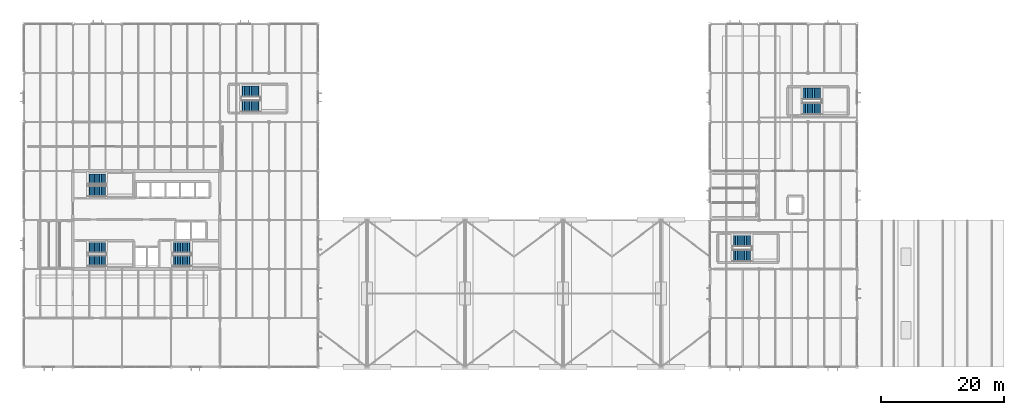
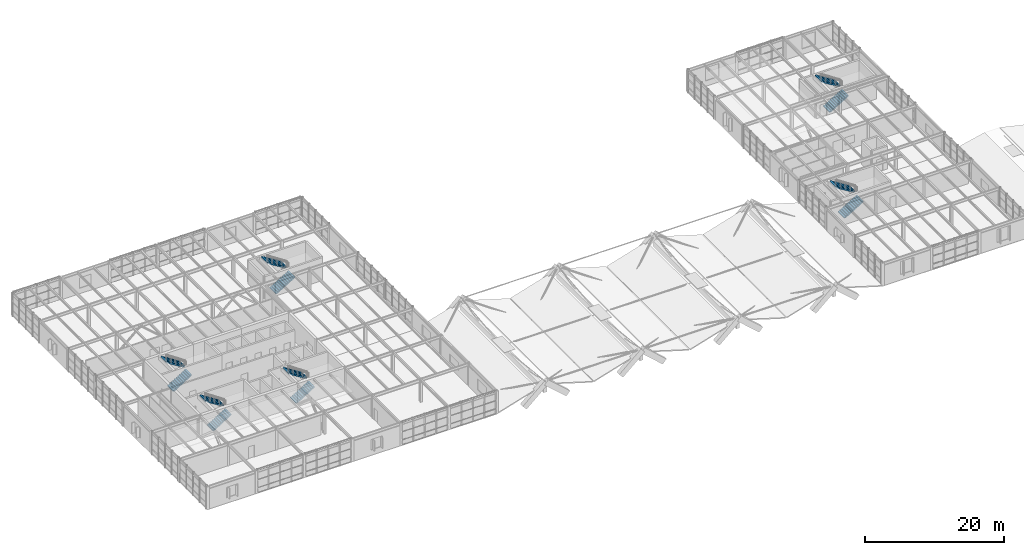
# One storey, part 46 of 50: 12 stair flights, 6 elements without a shape of their own.
"""IFC4 building model written with IfcOpenShell, lengths in metres."""

from ifc_helpers import new_model, si_unit, direction, frame, origin, place, context, subcontext, project, spatial, polyline, outline, extrude, material, type_object, element, aggregate, save


model = new_model("IFC4")

# Units and contexts
model_context = context("Model", 3, precision=1e-05, world=origin(), true_north=direction((0.0, 1.0)))
body_context = subcontext(model_context, "Body", "Model", "MODEL_VIEW")
ifc_project = project(units=[si_unit("LENGTHUNIT", "METRE"), si_unit("AREAUNIT", "SQUARE_METRE"), si_unit("VOLUMEUNIT", "CUBIC_METRE"), si_unit("PLANEANGLEUNIT", "RADIAN"), si_unit("MASSUNIT", "GRAM", prefix="KILO")], contexts=[model_context])

# Site, building, storey
site_placement = place(None, origin())
site = spatial("IfcSite", under=ifc_project, at=site_placement, CompositionType="ELEMENT")
building_placement = place(site_placement, origin())
building = spatial("IfcBuilding", under=site, at=building_placement, Name="Varnela Railside Interchange", CompositionType="ELEMENT")
storey_placement = place(building_placement, frame((0.0, 0.0, 15.39990234375)))
storey = spatial("IfcBuildingStorey", under=building, at=storey_placement, Name="L03", CompositionType="ELEMENT", Elevation=15.39990234375)

# Stair, stair flights
ifc_material = material(Name="Concrete C40", Category="concrete")
stair_type_1 = type_object("IfcStairType", Name="Core Pressurized Stair ST-165", PredefinedType="TWO_STRAIGHT_RUN_STAIR", material=ifc_material)
stair_1_placement = place(storey_placement, origin())
stair_1 = element("IfcStair", 1, at=stair_1_placement, inside=storey, type_object=stair_type_1, Name="Stair ST-T1 (L03) (SF-181)", PredefinedType="TWO_STRAIGHT_RUN_STAIR")
stair_flight_type_1 = type_object("IfcStairFlightType", Name="Concrete Stair Flight SF-165", PredefinedType="STRAIGHT", material=ifc_material)
stair_flight_1_placement = place(storey_placement, frame((14.39990234375, 55.324951171875, 0.0), z_axis=(0.0, 0.0, 1.0), x_axis=(1.0, 0.0, 0.0)))
stair_flight_1 = element("IfcStairFlight", 2, at=stair_flight_1_placement, type_object=stair_flight_type_1, Name="ST-T1 flight 1 (SF-182)", NumberOfRisers=12, NumberOfTreads=11, PredefinedType="STRAIGHT", RiserHeight=0.175, TreadLength=0.28, context=body_context, shape_type="SweptSolid", body=[
    extrude(outline(polyline([(0.0, 0.0), (0.0, 0.175048828125), (0.280029296875, 0.175048828125), (0.280029296875, 0.35009765625), (0.56005859375, 0.35009765625), (0.56005859375, 0.52490234375), (0.840087890625, 0.52490234375), (0.840087890625, 0.699951171875), (1.1201171875, 0.699951171875), (1.1201171875, 0.875), (1.39990234375, 0.875), (1.39990234375, 1.050048828125), (1.679931640625, 1.050048828125), (1.679931640625, 1.22509765625), (1.9599609375, 1.22509765625), (1.9599609375, 1.39990234375), (2.239990234375, 1.39990234375), (2.239990234375, 1.574951171875), (2.52001953125, 1.574951171875), (2.52001953125, 1.75), (2.800048828125, 1.75), (2.800048828125, 1.925048828125), (3.080078125, 1.925048828125), (3.080078125, 2.10009765625), (3.080078125, 1.736328125), (0.3017578125, 0.0), (0.0, 0.0)])), frame((0.0, 0.824951171875, 0.0), z_axis=(0.0, -1.0, 0.0), x_axis=(1.0, 0.0, 0.0)), (0.0, 0.0, 1.0), 1.64990234375),
])
stair_flight_2_placement = place(storey_placement, frame((17.47998046875, 57.47509765625, 2.10009765625), z_axis=(0.0, 0.0, 1.0), x_axis=(-1.0, 0.0, 0.0)))
stair_flight_2 = element("IfcStairFlight", 3, at=stair_flight_2_placement, type_object=stair_flight_type_1, Name="ST-T1 flight 2 (SF-183)", NumberOfRisers=12, NumberOfTreads=11, PredefinedType="STRAIGHT", RiserHeight=0.175, TreadLength=0.28, context=body_context, shape_type="SweptSolid", body=[
    extrude(outline(polyline([(0.0, 0.0), (0.0, 0.175048828125), (0.280029296875, 0.175048828125), (0.280029296875, 0.35009765625), (0.56005859375, 0.35009765625), (0.56005859375, 0.52490234375), (0.840087890625, 0.52490234375), (0.840087890625, 0.699951171875), (1.1201171875, 0.699951171875), (1.1201171875, 0.875), (1.39990234375, 0.875), (1.39990234375, 1.050048828125), (1.679931640625, 1.050048828125), (1.679931640625, 1.22509765625), (1.9599609375, 1.22509765625), (1.9599609375, 1.39990234375), (2.239990234375, 1.39990234375), (2.239990234375, 1.574951171875), (2.52001953125, 1.574951171875), (2.52001953125, 1.75), (2.800048828125, 1.75), (2.800048828125, 1.925048828125), (3.080078125, 1.925048828125), (3.080078125, 2.10009765625), (3.080078125, 1.736328125), (0.3017578125, 0.0), (0.0, 0.0)])), frame((0.0, 0.824951171875, 0.0), z_axis=(0.0, -1.0, 0.0), x_axis=(1.0, 0.0, 0.0)), (0.0, 0.0, 1.0), 1.64990234375),
])
aggregate(stair_1, [stair_flight_1, stair_flight_2])

stair_2_placement = place(storey_placement, origin())
stair_2 = element("IfcStair", 4, at=stair_2_placement, inside=storey, type_object=stair_type_1, Name="Stair ST-T2 (L03) (SF-184)", PredefinedType="TWO_STRAIGHT_RUN_STAIR")
stair_flight_3_placement = place(storey_placement, frame((28.199951171875, 55.324951171875, 0.0), z_axis=(0.0, 0.0, 1.0), x_axis=(1.0, 0.0, 0.0)))
stair_flight_3 = element("IfcStairFlight", 5, at=stair_flight_3_placement, type_object=stair_flight_type_1, Name="ST-T2 flight 1 (SF-185)", NumberOfRisers=12, NumberOfTreads=11, PredefinedType="STRAIGHT", RiserHeight=0.175, TreadLength=0.28, context=body_context, shape_type="SweptSolid", body=[
    extrude(outline(polyline([(0.0, 0.0), (0.0, 0.175048828125), (0.280029296875, 0.175048828125), (0.280029296875, 0.35009765625), (0.56005859375, 0.35009765625), (0.56005859375, 0.52490234375), (0.840087890625, 0.52490234375), (0.840087890625, 0.699951171875), (1.1201171875, 0.699951171875), (1.1201171875, 0.875), (1.39990234375, 0.875), (1.39990234375, 1.050048828125), (1.679931640625, 1.050048828125), (1.679931640625, 1.22509765625), (1.9599609375, 1.22509765625), (1.9599609375, 1.39990234375), (2.239990234375, 1.39990234375), (2.239990234375, 1.574951171875), (2.52001953125, 1.574951171875), (2.52001953125, 1.75), (2.800048828125, 1.75), (2.800048828125, 1.925048828125), (3.080078125, 1.925048828125), (3.080078125, 2.10009765625), (3.080078125, 1.736328125), (0.3017578125, 0.0), (0.0, 0.0)])), frame((0.0, 0.824951171875, 0.0), z_axis=(0.0, -1.0, 0.0), x_axis=(1.0, 0.0, 0.0)), (0.0, 0.0, 1.0), 1.64990234375),
])
stair_flight_4_placement = place(storey_placement, frame((31.280029296875, 57.47509765625, 2.10009765625), z_axis=(0.0, 0.0, 1.0), x_axis=(-1.0, 0.0, 0.0)))
stair_flight_4 = element("IfcStairFlight", 6, at=stair_flight_4_placement, type_object=stair_flight_type_1, Name="ST-T2 flight 2 (SF-186)", NumberOfRisers=12, NumberOfTreads=11, PredefinedType="STRAIGHT", RiserHeight=0.175, TreadLength=0.28, context=body_context, shape_type="SweptSolid", body=[
    extrude(outline(polyline([(0.0, 0.0), (0.0, 0.175048828125), (0.280029296875, 0.175048828125), (0.280029296875, 0.35009765625), (0.56005859375, 0.35009765625), (0.56005859375, 0.52490234375), (0.840087890625, 0.52490234375), (0.840087890625, 0.699951171875), (1.1201171875, 0.699951171875), (1.1201171875, 0.875), (1.39990234375, 0.875), (1.39990234375, 1.050048828125), (1.679931640625, 1.050048828125), (1.679931640625, 1.22509765625), (1.9599609375, 1.22509765625), (1.9599609375, 1.39990234375), (2.239990234375, 1.39990234375), (2.239990234375, 1.574951171875), (2.52001953125, 1.574951171875), (2.52001953125, 1.75), (2.800048828125, 1.75), (2.800048828125, 1.925048828125), (3.080078125, 1.925048828125), (3.080078125, 2.10009765625), (3.080078125, 1.736328125), (0.3017578125, 0.0), (0.0, 0.0)])), frame((0.0, 0.824951171875, 0.0), z_axis=(0.0, -1.0, 0.0), x_axis=(1.0, 0.0, 0.0)), (0.0, 0.0, 1.0), 1.64990234375),
])
aggregate(stair_2, [stair_flight_3, stair_flight_4])

stair_3_placement = place(storey_placement, origin())
stair_3 = element("IfcStair", 7, at=stair_3_placement, inside=storey, type_object=stair_type_1, Name="Stair ST-T3 (L03) (SF-187)", PredefinedType="TWO_STRAIGHT_RUN_STAIR")
stair_flight_5_placement = place(storey_placement, frame((14.39990234375, 66.72509765625, 0.0), z_axis=(0.0, 0.0, 1.0), x_axis=(1.0, 0.0, 0.0)))
stair_flight_5 = element("IfcStairFlight", 8, at=stair_flight_5_placement, type_object=stair_flight_type_1, Name="ST-T3 flight 1 (SF-188)", NumberOfRisers=12, NumberOfTreads=11, PredefinedType="STRAIGHT", RiserHeight=0.175, TreadLength=0.28, context=body_context, shape_type="SweptSolid", body=[
    extrude(outline(polyline([(0.0, 0.0), (0.0, 0.175048828125), (0.280029296875, 0.175048828125), (0.280029296875, 0.35009765625), (0.56005859375, 0.35009765625), (0.56005859375, 0.52490234375), (0.840087890625, 0.52490234375), (0.840087890625, 0.699951171875), (1.1201171875, 0.699951171875), (1.1201171875, 0.875), (1.39990234375, 0.875), (1.39990234375, 1.050048828125), (1.679931640625, 1.050048828125), (1.679931640625, 1.22509765625), (1.9599609375, 1.22509765625), (1.9599609375, 1.39990234375), (2.239990234375, 1.39990234375), (2.239990234375, 1.574951171875), (2.52001953125, 1.574951171875), (2.52001953125, 1.75), (2.800048828125, 1.75), (2.800048828125, 1.925048828125), (3.080078125, 1.925048828125), (3.080078125, 2.10009765625), (3.080078125, 1.736328125), (0.3017578125, 0.0), (0.0, 0.0)])), frame((0.0, 0.824951171875, 0.0), z_axis=(0.0, -1.0, 0.0), x_axis=(1.0, 0.0, 0.0)), (0.0, 0.0, 1.0), 1.64990234375),
])
stair_flight_6_placement = place(storey_placement, frame((17.47998046875, 68.675048828125, 2.10009765625), z_axis=(0.0, 0.0, 1.0), x_axis=(-1.0, 0.0, 0.0)))
stair_flight_6 = element("IfcStairFlight", 9, at=stair_flight_6_placement, type_object=stair_flight_type_1, Name="ST-T3 flight 2 (SF-189)", NumberOfRisers=12, NumberOfTreads=11, PredefinedType="STRAIGHT", RiserHeight=0.175, TreadLength=0.28, context=body_context, shape_type="SweptSolid", body=[
    extrude(outline(polyline([(0.0, 0.0), (0.0, 0.175048828125), (0.280029296875, 0.175048828125), (0.280029296875, 0.35009765625), (0.56005859375, 0.35009765625), (0.56005859375, 0.52490234375), (0.840087890625, 0.52490234375), (0.840087890625, 0.699951171875), (1.1201171875, 0.699951171875), (1.1201171875, 0.875), (1.39990234375, 0.875), (1.39990234375, 1.050048828125), (1.679931640625, 1.050048828125), (1.679931640625, 1.22509765625), (1.9599609375, 1.22509765625), (1.9599609375, 1.39990234375), (2.239990234375, 1.39990234375), (2.239990234375, 1.574951171875), (2.52001953125, 1.574951171875), (2.52001953125, 1.75), (2.800048828125, 1.75), (2.800048828125, 1.925048828125), (3.080078125, 1.925048828125), (3.080078125, 2.10009765625), (3.080078125, 1.736328125), (0.3017578125, 0.0), (0.0, 0.0)])), frame((0.0, 0.824951171875, 0.0), z_axis=(0.0, -1.0, 0.0), x_axis=(1.0, 0.0, 0.0)), (0.0, 0.0, 1.0), 1.64990234375),
])
aggregate(stair_3, [stair_flight_5, stair_flight_6])

stair_type_2 = type_object("IfcStairType", Name="Study Pavilion Stair ST-180", PredefinedType="TWO_STRAIGHT_RUN_STAIR", material=ifc_material)
stair_4_placement = place(storey_placement, origin())
stair_4 = element("IfcStair", 10, at=stair_4_placement, inside=storey, type_object=stair_type_2, Name="Stair ST-E1 (L03) (SF-175)", PredefinedType="TWO_STRAIGHT_RUN_STAIR")
stair_flight_type_2 = type_object("IfcStairFlightType", Name="Concrete Stair Flight SF-180", PredefinedType="STRAIGHT", material=ifc_material)
stair_flight_7_placement = place(storey_placement, frame((119.60009765625, 56.199951171875, 0.0), z_axis=(0.0, 0.0, 1.0), x_axis=(1.0, 0.0, 0.0)))
stair_flight_7 = element("IfcStairFlight", 11, at=stair_flight_7_placement, type_object=stair_flight_type_2, Name="ST-E1 flight 1 (SF-176)", NumberOfRisers=12, NumberOfTreads=11, PredefinedType="STRAIGHT", RiserHeight=0.175, TreadLength=0.29, context=body_context, shape_type="SweptSolid", body=[
    extrude(outline(polyline([(0.0, 0.0), (0.0, 0.175048828125), (0.2900390625, 0.175048828125), (0.2900390625, 0.35009765625), (0.580078125, 0.35009765625), (0.580078125, 0.52490234375), (0.8701171875, 0.52490234375), (0.8701171875, 0.699951171875), (1.159912109375, 0.699951171875), (1.159912109375, 0.875), (1.449951171875, 0.875), (1.449951171875, 1.050048828125), (1.739990234375, 1.050048828125), (1.739990234375, 1.22509765625), (2.030029296875, 1.22509765625), (2.030029296875, 1.39990234375), (2.320068359375, 1.39990234375), (2.320068359375, 1.574951171875), (2.610107421875, 1.574951171875), (2.610107421875, 1.75), (2.89990234375, 1.75), (2.89990234375, 1.925048828125), (3.18994140625, 1.925048828125), (3.18994140625, 2.10009765625), (3.18994140625, 1.73828125), (0.3095703125, 0.0), (0.0, 0.0)])), frame((0.0, 0.89990234375, 0.0), z_axis=(0.0, -1.0, 0.0), x_axis=(1.0, 0.0, 0.0)), (0.0, 0.0, 1.0), 1.800048828125),
])
stair_flight_8_placement = place(storey_placement, frame((122.7900390625, 58.60009765625, 2.10009765625), z_axis=(0.0, 0.0, 1.0), x_axis=(-1.0, 0.0, 0.0)))
stair_flight_8 = element("IfcStairFlight", 12, at=stair_flight_8_placement, type_object=stair_flight_type_2, Name="ST-E1 flight 2 (SF-177)", NumberOfRisers=12, NumberOfTreads=11, PredefinedType="STRAIGHT", RiserHeight=0.175, TreadLength=0.29, context=body_context, shape_type="SweptSolid", body=[
    extrude(outline(polyline([(0.0, 0.0), (0.0, 0.175048828125), (0.2900390625, 0.175048828125), (0.2900390625, 0.35009765625), (0.580078125, 0.35009765625), (0.580078125, 0.52490234375), (0.8701171875, 0.52490234375), (0.8701171875, 0.699951171875), (1.159912109375, 0.699951171875), (1.159912109375, 0.875), (1.449951171875, 0.875), (1.449951171875, 1.050048828125), (1.739990234375, 1.050048828125), (1.739990234375, 1.22509765625), (2.030029296875, 1.22509765625), (2.030029296875, 1.39990234375), (2.320068359375, 1.39990234375), (2.320068359375, 1.574951171875), (2.610107421875, 1.574951171875), (2.610107421875, 1.75), (2.89990234375, 1.75), (2.89990234375, 1.925048828125), (3.18994140625, 1.925048828125), (3.18994140625, 2.10009765625), (3.18994140625, 1.73828125), (0.3095703125, 0.0), (0.0, 0.0)])), frame((0.0, 0.89990234375, 0.0), z_axis=(0.0, -1.0, 0.0), x_axis=(1.0, 0.0, 0.0)), (0.0, 0.0, 1.0), 1.800048828125),
])
aggregate(stair_4, [stair_flight_7, stair_flight_8])

stair_5_placement = place(storey_placement, origin())
stair_5 = element("IfcStair", 13, at=stair_5_placement, inside=storey, type_object=stair_type_2, Name="Stair ST-E2 (L03) (SF-178)", PredefinedType="TWO_STRAIGHT_RUN_STAIR")
stair_flight_9_placement = place(storey_placement, frame((131.0, 80.199951171875, 0.0), z_axis=(0.0, 0.0, 1.0), x_axis=(1.0, 0.0, 0.0)))
stair_flight_9 = element("IfcStairFlight", 14, at=stair_flight_9_placement, type_object=stair_flight_type_2, Name="ST-E2 flight 1 (SF-179)", NumberOfRisers=12, NumberOfTreads=11, PredefinedType="STRAIGHT", RiserHeight=0.175, TreadLength=0.29, context=body_context, shape_type="SweptSolid", body=[
    extrude(outline(polyline([(0.0, 0.0), (0.0, 0.175048828125), (0.2900390625, 0.175048828125), (0.2900390625, 0.35009765625), (0.580078125, 0.35009765625), (0.580078125, 0.52490234375), (0.8701171875, 0.52490234375), (0.8701171875, 0.699951171875), (1.159912109375, 0.699951171875), (1.159912109375, 0.875), (1.449951171875, 0.875), (1.449951171875, 1.050048828125), (1.739990234375, 1.050048828125), (1.739990234375, 1.22509765625), (2.030029296875, 1.22509765625), (2.030029296875, 1.39990234375), (2.320068359375, 1.39990234375), (2.320068359375, 1.574951171875), (2.610107421875, 1.574951171875), (2.610107421875, 1.75), (2.89990234375, 1.75), (2.89990234375, 1.925048828125), (3.18994140625, 1.925048828125), (3.18994140625, 2.10009765625), (3.18994140625, 1.73828125), (0.3095703125, 0.0), (0.0, 0.0)])), frame((0.0, 0.89990234375, 0.0), z_axis=(0.0, -1.0, 0.0), x_axis=(1.0, 0.0, 0.0)), (0.0, 0.0, 1.0), 1.800048828125),
])
stair_flight_10_placement = place(storey_placement, frame((134.18994140625, 82.60009765625, 2.10009765625), z_axis=(0.0, 0.0, 1.0), x_axis=(-1.0, 0.0, 0.0)))
stair_flight_10 = element("IfcStairFlight", 15, at=stair_flight_10_placement, type_object=stair_flight_type_2, Name="ST-E2 flight 2 (SF-180)", NumberOfRisers=12, NumberOfTreads=11, PredefinedType="STRAIGHT", RiserHeight=0.175, TreadLength=0.29, context=body_context, shape_type="SweptSolid", body=[
    extrude(outline(polyline([(0.0, 0.0), (0.0, 0.175048828125), (0.2900390625, 0.175048828125), (0.2900390625, 0.35009765625), (0.580078125, 0.35009765625), (0.580078125, 0.52490234375), (0.8701171875, 0.52490234375), (0.8701171875, 0.699951171875), (1.159912109375, 0.699951171875), (1.159912109375, 0.875), (1.449951171875, 0.875), (1.449951171875, 1.050048828125), (1.739990234375, 1.050048828125), (1.739990234375, 1.22509765625), (2.030029296875, 1.22509765625), (2.030029296875, 1.39990234375), (2.320068359375, 1.39990234375), (2.320068359375, 1.574951171875), (2.610107421875, 1.574951171875), (2.610107421875, 1.75), (2.89990234375, 1.75), (2.89990234375, 1.925048828125), (3.18994140625, 1.925048828125), (3.18994140625, 2.10009765625), (3.18994140625, 1.73828125), (0.3095703125, 0.0), (0.0, 0.0)])), frame((0.0, 0.89990234375, 0.0), z_axis=(0.0, -1.0, 0.0), x_axis=(1.0, 0.0, 0.0)), (0.0, 0.0, 1.0), 1.800048828125),
])
aggregate(stair_5, [stair_flight_9, stair_flight_10])

stair_6_placement = place(storey_placement, origin())
stair_6 = element("IfcStair", 16, at=stair_6_placement, inside=storey, type_object=stair_type_2, Name="Stair ST-W1 (L03) (SF-190)", PredefinedType="TWO_STRAIGHT_RUN_STAIR")
stair_flight_11_placement = place(storey_placement, frame((39.39990234375, 80.60009765625, 0.0), z_axis=(0.0, 0.0, 1.0), x_axis=(1.0, 0.0, 0.0)))
stair_flight_11 = element("IfcStairFlight", 17, at=stair_flight_11_placement, type_object=stair_flight_type_2, Name="ST-W1 flight 1 (SF-191)", NumberOfRisers=12, NumberOfTreads=11, PredefinedType="STRAIGHT", RiserHeight=0.175, TreadLength=0.29, context=body_context, shape_type="SweptSolid", body=[
    extrude(outline(polyline([(0.0, 0.0), (0.0, 0.175048828125), (0.2900390625, 0.175048828125), (0.2900390625, 0.35009765625), (0.580078125, 0.35009765625), (0.580078125, 0.52490234375), (0.8701171875, 0.52490234375), (0.8701171875, 0.699951171875), (1.159912109375, 0.699951171875), (1.159912109375, 0.875), (1.449951171875, 0.875), (1.449951171875, 1.050048828125), (1.739990234375, 1.050048828125), (1.739990234375, 1.22509765625), (2.030029296875, 1.22509765625), (2.030029296875, 1.39990234375), (2.320068359375, 1.39990234375), (2.320068359375, 1.574951171875), (2.610107421875, 1.574951171875), (2.610107421875, 1.75), (2.89990234375, 1.75), (2.89990234375, 1.925048828125), (3.18994140625, 1.925048828125), (3.18994140625, 2.10009765625), (3.18994140625, 1.73828125), (0.3095703125, 0.0), (0.0, 0.0)])), frame((0.0, 0.89990234375, 0.0), z_axis=(0.0, -1.0, 0.0), x_axis=(1.0, 0.0, 0.0)), (0.0, 0.0, 1.0), 1.800048828125),
])
stair_flight_12_placement = place(storey_placement, frame((42.590087890625, 83.0, 2.10009765625), z_axis=(0.0, 0.0, 1.0), x_axis=(-1.0, 0.0, 0.0)))
stair_flight_12 = element("IfcStairFlight", 18, at=stair_flight_12_placement, type_object=stair_flight_type_2, Name="ST-W1 flight 2 (SF-192)", NumberOfRisers=12, NumberOfTreads=11, PredefinedType="STRAIGHT", RiserHeight=0.175, TreadLength=0.29, context=body_context, shape_type="SweptSolid", body=[
    extrude(outline(polyline([(0.0, 0.0), (0.0, 0.175048828125), (0.2900390625, 0.175048828125), (0.2900390625, 0.35009765625), (0.580078125, 0.35009765625), (0.580078125, 0.52490234375), (0.8701171875, 0.52490234375), (0.8701171875, 0.699951171875), (1.159912109375, 0.699951171875), (1.159912109375, 0.875), (1.449951171875, 0.875), (1.449951171875, 1.050048828125), (1.739990234375, 1.050048828125), (1.739990234375, 1.22509765625), (2.030029296875, 1.22509765625), (2.030029296875, 1.39990234375), (2.320068359375, 1.39990234375), (2.320068359375, 1.574951171875), (2.610107421875, 1.574951171875), (2.610107421875, 1.75), (2.89990234375, 1.75), (2.89990234375, 1.925048828125), (3.18994140625, 1.925048828125), (3.18994140625, 2.10009765625), (3.18994140625, 1.73828125), (0.3095703125, 0.0), (0.0, 0.0)])), frame((0.0, 0.89990234375, 0.0), z_axis=(0.0, -1.0, 0.0), x_axis=(1.0, 0.0, 0.0)), (0.0, 0.0, 1.0), 1.800048828125),
])
aggregate(stair_6, [stair_flight_11, stair_flight_12])

save(model, "model.ifc")
